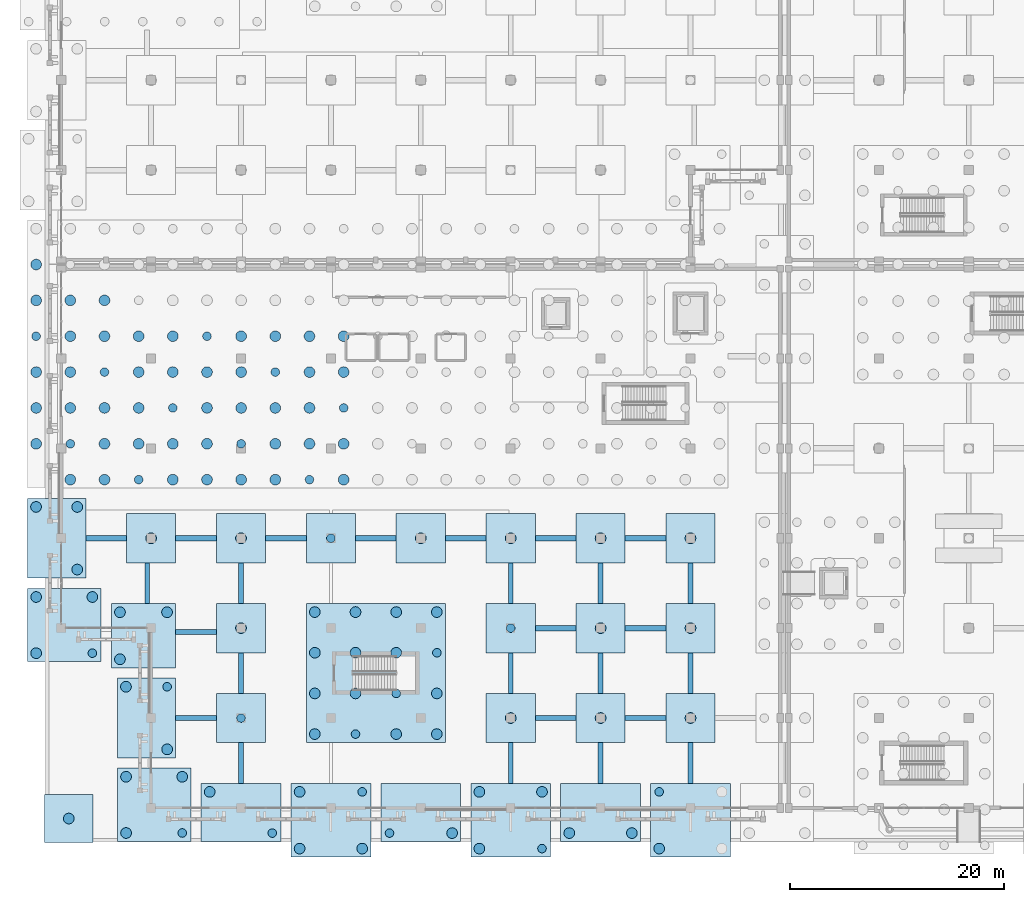
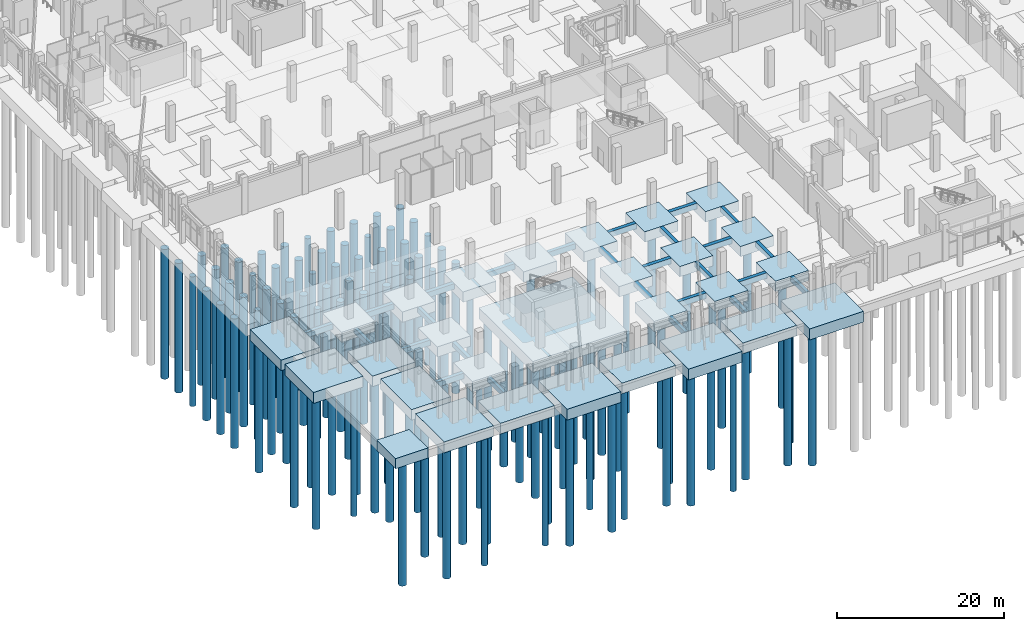
# One storey, part 1 of 98: 118 piles, 54 footings.
"""IFC4 building model written with IfcOpenShell, lengths in metres."""

from ifc_helpers import new_model, si_unit, direction, frame, origin, origin_2d, place, context, subcontext, project, spatial, rectangle, circle, extrude, material, material_profile, profile_set, type_object, element, save


model = new_model("IFC4")

# Units and contexts
model_context = context("Model", 3, precision=1e-05, world=origin(), true_north=direction((0.0, 1.0)))
body_context = subcontext(model_context, "Body", "Model", "MODEL_VIEW")
ifc_project = project(units=[si_unit("LENGTHUNIT", "METRE"), si_unit("AREAUNIT", "SQUARE_METRE"), si_unit("VOLUMEUNIT", "CUBIC_METRE"), si_unit("PLANEANGLEUNIT", "RADIAN"), si_unit("MASSUNIT", "GRAM", prefix="KILO")], contexts=[model_context])

# Site, building, storey
site_placement = place(None, origin())
site = spatial("IfcSite", under=ifc_project, at=site_placement, CompositionType="ELEMENT")
building_placement = place(site_placement, origin())
building = spatial("IfcBuilding", under=site, at=building_placement, Name="Xazarin Passage Department Store", CompositionType="ELEMENT")
storey_placement = place(building_placement, origin())
storey = spatial("IfcBuildingStorey", under=building, at=storey_placement, Name="L00", CompositionType="ELEMENT", Elevation=0.0)

# Footings
ifc_material = material(Name="Concrete C35/45", Category="concrete")
footing_type_1 = type_object("IfcFootingType", Name="STR-CAP-PC1", PredefinedType="PILE_CAP", material=ifc_material)
for number, where, z_axis, x_axis, name in (
    (1, (25.199951171875, -1.14990234375, -1.60009765625), (0.0, 0.0, 1.0), (1.0, 0.0, 0.0), "Pile Cap 001"),
    (2, (42.0, -1.14990234375, -1.60009765625), (0.0, 0.0, 1.0), (1.0, 0.0, 0.0), "Pile Cap 002"),
    (3, (58.800048828125, -1.14990234375, -1.60009765625), (0.0, 0.0, 1.0), (1.0, 0.0, 0.0), "Pile Cap 003"),
):
    element("IfcFooting", number, at=place(storey_placement, frame(where, z_axis=z_axis, x_axis=x_axis)), inside=storey, type_object=footing_type_1, Name=name, PredefinedType="PILE_CAP", context=body_context, shape_type="SweptSolid", body=[
        extrude(rectangle(XDim=7.449951171875, YDim=6.89990234375, at=origin_2d()), origin(), (0.0, 0.0, 1.0), 1.60009765625),
    ])
footing_type_2 = type_object("IfcFootingType", Name="STR-CAP-PC11", PredefinedType="PILE_CAP", material=ifc_material)
for number, where, z_axis, x_axis, name in (
    (4, (16.800048828125, 8.39990234375, -1.5), (0.0, 0.0, 1.0), (1.0, 0.0, 0.0), "Pile Cap 019"),
    (5, (42.0, 8.39990234375, -1.5), (0.0, 0.0, 1.0), (1.0, 0.0, 0.0), "Pile Cap 021"),
    (6, (50.39990234375, 8.39990234375, -1.5), (0.0, 0.0, 1.0), (1.0, 0.0, 0.0), "Pile Cap 022"),
    (7, (58.800048828125, 8.39990234375, -1.5), (0.0, 0.0, 1.0), (1.0, 0.0, 0.0), "Pile Cap 023"),
    (8, (16.800048828125, 16.800048828125, -1.5), (0.0, 0.0, 1.0), (1.0, 0.0, 0.0), "Pile Cap 033"),
    (9, (42.0, 16.800048828125, -1.5), (0.0, 0.0, 1.0), (1.0, 0.0, 0.0), "Pile Cap 034"),
    (10, (50.39990234375, 16.800048828125, -1.5), (0.0, 0.0, 1.0), (1.0, 0.0, 0.0), "Pile Cap 035"),
    (11, (58.800048828125, 16.800048828125, -1.5), (0.0, 0.0, 1.0), (1.0, 0.0, 0.0), "Pile Cap 036"),
    (12, (8.39990234375, 25.199951171875, -1.5), (0.0, 0.0, 1.0), (1.0, 0.0, 0.0), "Pile Cap 047"),
    (13, (16.800048828125, 25.199951171875, -1.5), (0.0, 0.0, 1.0), (1.0, 0.0, 0.0), "Pile Cap 048"),
    (14, (25.199951171875, 25.199951171875, -1.5), (0.0, 0.0, 1.0), (1.0, 0.0, 0.0), "Pile Cap 049"),
    (15, (33.60009765625, 25.199951171875, -1.5), (0.0, 0.0, 1.0), (1.0, 0.0, 0.0), "Pile Cap 050"),
    (16, (42.0, 25.199951171875, -1.5), (0.0, 0.0, 1.0), (1.0, 0.0, 0.0), "Pile Cap 051"),
    (17, (50.39990234375, 25.199951171875, -1.5), (0.0, 0.0, 1.0), (1.0, 0.0, 0.0), "Pile Cap 052"),
    (18, (58.800048828125, 25.199951171875, -1.5), (0.0, 0.0, 1.0), (1.0, 0.0, 0.0), "Pile Cap 053"),
):
    element("IfcFooting", number, at=place(storey_placement, frame(where, z_axis=z_axis, x_axis=x_axis)), inside=storey, type_object=footing_type_2, Name=name, PredefinedType="PILE_CAP", context=body_context, shape_type="SweptSolid", body=[
        extrude(rectangle(XDim=4.60009765625, YDim=4.60009765625, at=origin_2d()), origin(), (0.0, 0.0, 1.0), 1.5),
    ])
footing_type_3 = type_object("IfcFootingType", Name="STR-CAP-PC12", PredefinedType="PILE_CAP", material=ifc_material)
footing_1_placement = place(storey_placement, frame((29.39990234375, 12.60009765625, -1.60009765625), z_axis=(0.0, 0.0, 1.0), x_axis=(1.0, 0.0, 0.0)))
element("IfcFooting", 19, at=footing_1_placement, inside=storey, type_object=footing_type_3, Name="Pile Cap 020", PredefinedType="PILE_CAP", context=body_context, shape_type="SweptSolid", body=[
    extrude(rectangle(XDim=13.0, YDim=13.0, at=origin_2d()), origin(), (0.0, 0.0, 1.0), 1.60009765625),
])
footing_type_4 = type_object("IfcFootingType", Name="STR-CAP-PC15", PredefinedType="PILE_CAP", material=ifc_material)
footing_2_placement = place(storey_placement, frame((7.68994140625, 16.090087890625, -1.5498046875), z_axis=(0.0, 0.0, 1.0), x_axis=(1.0, 0.0, 0.0)))
element("IfcFooting", 20, at=footing_2_placement, inside=storey, type_object=footing_type_4, Name="Pile Cap 031", PredefinedType="PILE_CAP", context=body_context, shape_type="SweptSolid", body=[
    extrude(rectangle(XDim=6.0, YDim=6.0, at=origin_2d()), origin(), (0.0, 0.0, 1.0), 1.550048828125),
])
footing_type_5 = type_object("IfcFootingType", Name="STR-CAP-PC4", PredefinedType="PILE_CAP", material=ifc_material)
footing_3_placement = place(storey_placement, frame((0.7099609375, -0.989990234375, -1.5), z_axis=(0.0, 0.0, 1.0), x_axis=(1.0, 0.0, 0.0)))
element("IfcFooting", 21, at=footing_3_placement, inside=storey, type_object=footing_type_5, Name="Pile Cap 006", PredefinedType="PILE_CAP", context=body_context, shape_type="SweptSolid", body=[
    extrude(rectangle(XDim=4.5, YDim=4.5, at=origin_2d()), origin(), (0.0, 0.0, 1.0), 1.5),
])
footing_type_6 = type_object("IfcFootingType", Name="STR-CAP-PC7", PredefinedType="PILE_CAP", material=ifc_material)
for number, where, z_axis, x_axis, name in (
    (22, (8.68505859375, 0.284912109375, -1.60009765625), (0.0, 0.0, 1.0), (1.0, 0.0, 0.0), "Pile Cap 012"),
    (23, (0.284912109375, 17.0849609375, -1.60009765625), (0.0, 0.0, 1.0), (1.0, 0.0, 0.0), "Pile Cap 032"),
):
    element("IfcFooting", number, at=place(storey_placement, frame(where, z_axis=z_axis, x_axis=x_axis)), inside=storey, type_object=footing_type_6, Name=name, PredefinedType="PILE_CAP", context=body_context, shape_type="SweptSolid", body=[
        extrude(rectangle(XDim=6.85009765625, YDim=6.85009765625, at=origin_2d()), origin(), (0.0, 0.0, 1.0), 1.60009765625),
    ])
footing_type_7 = type_object("IfcFootingType", Name="STR-CAP-PC8", PredefinedType="PILE_CAP", material=ifc_material)
for number, where, z_axis, x_axis, name in (
    (24, (16.800048828125, -0.425048828125, -1.5498046875), (0.0, 0.0, 1.0), (1.0, 0.0, 0.0), "Pile Cap 013"),
    (25, (33.60009765625, -0.425048828125, -1.5498046875), (0.0, 0.0, 1.0), (1.0, 0.0, 0.0), "Pile Cap 014"),
    (26, (50.39990234375, -0.425048828125, -1.5498046875), (0.0, 0.0, 1.0), (1.0, 0.0, 0.0), "Pile Cap 015"),
    (27, (7.97509765625, 8.39990234375, -1.5498046875), (0.0, 0.0, 1.0), (0.0, 1.0, 0.0), "Pile Cap 017"),
    (28, (-0.425048828125, 25.199951171875, -1.5498046875), (0.0, 0.0, 1.0), (0.0, 1.0, 0.0), "Pile Cap 045"),
):
    element("IfcFooting", number, at=place(storey_placement, frame(where, z_axis=z_axis, x_axis=x_axis)), inside=storey, type_object=footing_type_7, Name=name, PredefinedType="PILE_CAP", context=body_context, shape_type="SweptSolid", body=[
        extrude(rectangle(XDim=7.449951171875, YDim=5.449951171875, at=origin_2d()), origin(), (0.0, 0.0, 1.0), 1.550048828125),
    ])
ifc_material_profile_1 = material_profile(ifc_material, rectangle(XDim=0.449951171875, YDim=0.699951171875, at=origin_2d()), Name="RC 450x700")
ifc_profile_set_1 = profile_set([ifc_material_profile_1], Name="Concrete C35/45")
footing_type_8 = type_object("IfcFootingType", Name="STR-FTG-TB450x700", PredefinedType="FOOTING_BEAM", material=ifc_profile_set_1)
for number, where, z_axis, x_axis, name in (
    (29, (42.0, 2.300048828125, -0.35009765625), (0.0, 1.0, 0.0), (-1.0, 0.0, 0.0), "Ground Tie Beam 001"),
    (30, (58.800048828125, 2.300048828125, -0.35009765625), (0.0, 1.0, 0.0), (-1.0, 0.0, 0.0), "Ground Tie Beam 002"),
    (31, (16.800048828125, 2.300048828125, -0.35009765625), (0.0, 1.0, 0.0), (-1.0, 0.0, 0.0), "Ground Tie Beam 005"),
    (32, (50.39990234375, 2.300048828125, -0.35009765625), (0.0, 1.0, 0.0), (-1.0, 0.0, 0.0), "Ground Tie Beam 006"),
    (33, (16.800048828125, 10.699951171875, -0.35009765625), (0.0, 1.0, 0.0), (-1.0, 0.0, 0.0), "Ground Tie Beam 009"),
    (34, (42.0, 10.699951171875, -0.35009765625), (0.0, 1.0, 0.0), (-1.0, 0.0, 0.0), "Ground Tie Beam 011"),
    (35, (50.39990234375, 10.699951171875, -0.35009765625), (0.0, 1.0, 0.0), (-1.0, 0.0, 0.0), "Ground Tie Beam 013"),
    (36, (58.800048828125, 10.699951171875, -0.35009765625), (0.0, 1.0, 0.0), (-1.0, 0.0, 0.0), "Ground Tie Beam 015"),
):
    element("IfcFooting", number, at=place(storey_placement, frame(where, z_axis=z_axis, x_axis=x_axis)), inside=storey, type_object=footing_type_8, Name=name, PredefinedType="FOOTING_BEAM", context=body_context, shape_type="SweptSolid", body=[
        extrude(rectangle(XDim=0.449951171875, YDim=0.699951171875, at=origin_2d()), origin(), (0.0, 0.0, 1.0), 3.800048828125),
    ])
footing_4_placement = place(storey_placement, frame((8.044921875, 19.090087890625, -0.35009765625), z_axis=(0.0, 1.0, 0.0), x_axis=(-1.0, 0.0, 0.0)))
element("IfcFooting", 37, at=footing_4_placement, inside=storey, type_object=footing_type_8, Name="Ground Tie Beam 026", PredefinedType="FOOTING_BEAM", context=body_context, shape_type="SweptSolid", body=[
    extrude(rectangle(XDim=0.449951171875, YDim=0.699951171875, at=origin_2d()), origin(), (0.0, 0.0, 1.0), 3.809814453125),
])
for number, where, z_axis, x_axis, name in (
    (38, (16.800048828125, 19.10009765625, -0.35009765625), (0.0, 1.0, 0.0), (-1.0, 0.0, 0.0), "Ground Tie Beam 027"),
    (39, (42.0, 19.10009765625, -0.35009765625), (0.0, 1.0, 0.0), (-1.0, 0.0, 0.0), "Ground Tie Beam 029"),
    (40, (50.39990234375, 19.10009765625, -0.35009765625), (0.0, 1.0, 0.0), (-1.0, 0.0, 0.0), "Ground Tie Beam 031"),
    (41, (58.800048828125, 19.10009765625, -0.35009765625), (0.0, 1.0, 0.0), (-1.0, 0.0, 0.0), "Ground Tie Beam 032"),
):
    element("IfcFooting", number, at=place(storey_placement, frame(where, z_axis=z_axis, x_axis=x_axis)), inside=storey, type_object=footing_type_8, Name=name, PredefinedType="FOOTING_BEAM", context=body_context, shape_type="SweptSolid", body=[
        extrude(rectangle(XDim=0.449951171875, YDim=0.699951171875, at=origin_2d()), origin(), (0.0, 0.0, 1.0), 3.7998046875),
    ])
ifc_material_profile_2 = material_profile(ifc_material, rectangle(XDim=0.5, YDim=0.800048828125, at=origin_2d()), Name="RC 500x800")
ifc_profile_set_2 = profile_set([ifc_material_profile_2], Name="Concrete C35/45")
footing_type_9 = type_object("IfcFootingType", Name="STR-FTG-TB500x800", PredefinedType="FOOTING_BEAM", material=ifc_profile_set_2)
for number, where, z_axis, x_axis, name in (
    (42, (10.699951171875, 8.39990234375, -0.39990234375), (1.0, 0.0, 0.0), (0.0, 1.0, 0.0), "Ground Tie Beam 008"),
    (43, (44.300048828125, 8.39990234375, -0.39990234375), (1.0, 0.0, 0.0), (0.0, 1.0, 0.0), "Ground Tie Beam 010"),
    (44, (52.699951171875, 8.39990234375, -0.39990234375), (1.0, 0.0, 0.0), (0.0, 1.0, 0.0), "Ground Tie Beam 012"),
):
    element("IfcFooting", number, at=place(storey_placement, frame(where, z_axis=z_axis, x_axis=x_axis)), inside=storey, type_object=footing_type_9, Name=name, PredefinedType="FOOTING_BEAM", context=body_context, shape_type="SweptSolid", body=[
        extrude(rectangle(XDim=0.5, YDim=0.800048828125, at=origin_2d()), origin(), (0.0, 0.0, 1.0), 3.800048828125),
    ])
footing_5_placement = place(storey_placement, frame((10.68994140625, 16.445068359375, -0.39990234375), z_axis=(1.0, 0.0, 0.0), x_axis=(0.0, 1.0, 0.0)))
element("IfcFooting", 45, at=footing_5_placement, inside=storey, type_object=footing_type_9, Name="Ground Tie Beam 025", PredefinedType="FOOTING_BEAM", context=body_context, shape_type="SweptSolid", body=[
    extrude(rectangle(XDim=0.5, YDim=0.800048828125, at=origin_2d()), origin(), (0.0, 0.0, 1.0), 3.81005859375),
])
for number, where, z_axis, x_axis, name in (
    (46, (44.300048828125, 16.800048828125, -0.39990234375), (1.0, 0.0, 0.0), (0.0, 1.0, 0.0), "Ground Tie Beam 028"),
    (47, (52.699951171875, 16.800048828125, -0.39990234375), (1.0, 0.0, 0.0), (0.0, 1.0, 0.0), "Ground Tie Beam 030"),
    (48, (2.300048828125, 25.199951171875, -0.39990234375), (1.0, 0.0, 0.0), (0.0, 1.0, 0.0), "Ground Tie Beam 041"),
    (49, (10.699951171875, 25.199951171875, -0.39990234375), (1.0, 0.0, 0.0), (0.0, 1.0, 0.0), "Ground Tie Beam 042"),
):
    element("IfcFooting", number, at=place(storey_placement, frame(where, z_axis=z_axis, x_axis=x_axis)), inside=storey, type_object=footing_type_9, Name=name, PredefinedType="FOOTING_BEAM", context=body_context, shape_type="SweptSolid", body=[
        extrude(rectangle(XDim=0.5, YDim=0.800048828125, at=origin_2d()), origin(), (0.0, 0.0, 1.0), 3.800048828125),
    ])
footing_6_placement = place(storey_placement, frame((19.10009765625, 25.199951171875, -0.39990234375), z_axis=(1.0, 0.0, 0.0), x_axis=(0.0, 1.0, 0.0)))
element("IfcFooting", 50, at=footing_6_placement, inside=storey, type_object=footing_type_9, Name="Ground Tie Beam 043", PredefinedType="FOOTING_BEAM", context=body_context, shape_type="SweptSolid", body=[
    extrude(rectangle(XDim=0.5, YDim=0.800048828125, at=origin_2d()), origin(), (0.0, 0.0, 1.0), 3.7998046875),
])
for number, where, z_axis, x_axis, name in (
    (51, (27.5, 25.199951171875, -0.39990234375), (1.0, 0.0, 0.0), (0.0, 1.0, 0.0), "Ground Tie Beam 044"),
    (52, (35.89990234375, 25.199951171875, -0.39990234375), (1.0, 0.0, 0.0), (0.0, 1.0, 0.0), "Ground Tie Beam 045"),
    (53, (44.300048828125, 25.199951171875, -0.39990234375), (1.0, 0.0, 0.0), (0.0, 1.0, 0.0), "Ground Tie Beam 046"),
    (54, (52.699951171875, 25.199951171875, -0.39990234375), (1.0, 0.0, 0.0), (0.0, 1.0, 0.0), "Ground Tie Beam 047"),
):
    element("IfcFooting", number, at=place(storey_placement, frame(where, z_axis=z_axis, x_axis=x_axis)), inside=storey, type_object=footing_type_9, Name=name, PredefinedType="FOOTING_BEAM", context=body_context, shape_type="SweptSolid", body=[
        extrude(rectangle(XDim=0.5, YDim=0.800048828125, at=origin_2d()), origin(), (0.0, 0.0, 1.0), 3.800048828125),
    ])

# Piles
ifc_material_profile_3 = material_profile(ifc_material, circle(Radius=0.5, at=origin_2d()), Name="BP 1000")
ifc_profile_set_3 = profile_set([ifc_material_profile_3], Name="Concrete C35/45")
pile_type_1 = type_object("IfcPileType", Name="STR-PIL-BP1000", PredefinedType="BORED", material=ifc_profile_set_3)
for number, where, z_axis, x_axis, name in (
    (55, (22.27490234375, -3.800048828125, -1.5), (0.0, 0.0, -1.0), (1.0, 0.0, 0.0), "Bored Pile 001-1"),
    (56, (22.27490234375, 1.5, -1.5), (0.0, 0.0, -1.0), (1.0, 0.0, 0.0), "Bored Pile 001-2"),
    (57, (28.125, -3.800048828125, -1.5), (0.0, 0.0, -1.0), (1.0, 0.0, 0.0), "Bored Pile 001-3"),
    (58, (39.074951171875, -3.800048828125, -1.5), (0.0, 0.0, -1.0), (1.0, 0.0, 0.0), "Bored Pile 002-1"),
    (59, (39.074951171875, 1.5, -1.5), (0.0, 0.0, -1.0), (1.0, 0.0, 0.0), "Bored Pile 002-2"),
    (60, (44.925048828125, 1.5, -1.5), (0.0, 0.0, -1.0), (1.0, 0.0, 0.0), "Bored Pile 002-4"),
    (61, (55.875, -3.800048828125, -1.5), (0.0, 0.0, -1.0), (1.0, 0.0, 0.0), "Bored Pile 003-1"),
):
    element("IfcPile", number, at=place(storey_placement, frame(where, z_axis=z_axis, x_axis=x_axis)), inside=storey, type_object=pile_type_1, Name=name, PredefinedType="BORED", context=body_context, shape_type="SweptSolid", body=[
        extrude(circle(Radius=0.5, at=origin_2d()), origin(), (0.0, 0.0, 1.0), 19.0),
    ])
pile_1_placement = place(storey_placement, frame((0.7099609375, -0.989990234375, -1.39990234375), z_axis=(0.0, 0.0, -1.0), x_axis=(1.0, 0.0, 0.0)))
element("IfcPile", 62, at=pile_1_placement, inside=storey, type_object=pile_type_1, Name="Bored Pile 006-1", PredefinedType="BORED", context=body_context, shape_type="SweptSolid", body=[
    extrude(circle(Radius=0.5, at=origin_2d()), origin(), (0.0, 0.0, 1.0), 19.10009765625),
])
for number, where, z_axis, x_axis, name in (
    (63, (6.06005859375, -2.340087890625, -1.5), (0.0, 0.0, -1.0), (1.0, 0.0, 0.0), "Bored Pile 012-1"),
    (64, (6.06005859375, 2.909912109375, -1.5), (0.0, 0.0, -1.0), (1.0, 0.0, 0.0), "Bored Pile 012-2"),
    (65, (11.31005859375, 2.909912109375, -1.5), (0.0, 0.0, -1.0), (1.0, 0.0, 0.0), "Bored Pile 012-4"),
):
    element("IfcPile", number, at=place(storey_placement, frame(where, z_axis=z_axis, x_axis=x_axis)), inside=storey, type_object=pile_type_1, Name=name, PredefinedType="BORED", context=body_context, shape_type="SweptSolid", body=[
        extrude(circle(Radius=0.5, at=origin_2d()), origin(), (0.0, 0.0, 1.0), 19.0),
    ])
for number, where, z_axis, x_axis, name in (
    (66, (13.875, 1.5, -1.449951171875), (0.0, 0.0, -1.0), (1.0, 0.0, 0.0), "Bored Pile 013-1"),
    (67, (36.52490234375, -2.35009765625, -1.449951171875), (0.0, 0.0, -1.0), (1.0, 0.0, 0.0), "Bored Pile 014-2"),
    (68, (47.47509765625, -2.35009765625, -1.449951171875), (0.0, 0.0, -1.0), (1.0, 0.0, 0.0), "Bored Pile 015-1"),
    (69, (53.324951171875, -2.35009765625, -1.449951171875), (0.0, 0.0, -1.0), (1.0, 0.0, 0.0), "Bored Pile 015-2"),
    (70, (6.050048828125, 11.324951171875, -1.449951171875), (0.0, 0.0, -1.0), (1.0, 0.0, 0.0), "Bored Pile 017-1"),
    (71, (9.89990234375, 5.47509765625, -1.449951171875), (0.0, 0.0, -1.0), (1.0, 0.0, 0.0), "Bored Pile 017-2"),
):
    element("IfcPile", number, at=place(storey_placement, frame(where, z_axis=z_axis, x_axis=x_axis)), inside=storey, type_object=pile_type_1, Name=name, PredefinedType="BORED", context=body_context, shape_type="SweptSolid", body=[
        extrude(circle(Radius=0.5, at=origin_2d()), origin(), (0.0, 0.0, 1.0), 19.050048828125),
    ])
for number, where, z_axis, x_axis, name in (
    (72, (23.699951171875, 6.89990234375, -1.5), (0.0, 0.0, -1.0), (1.0, 0.0, 0.0), "Bored Pile 020-1"),
    (73, (23.699951171875, 10.699951171875, -1.5), (0.0, 0.0, -1.0), (1.0, 0.0, 0.0), "Bored Pile 020-2"),
    (74, (23.699951171875, 14.5, -1.5), (0.0, 0.0, -1.0), (1.0, 0.0, 0.0), "Bored Pile 020-3"),
    (75, (23.699951171875, 18.300048828125, -1.5), (0.0, 0.0, -1.0), (1.0, 0.0, 0.0), "Bored Pile 020-4"),
    (76, (27.5, 10.699951171875, -1.5), (0.0, 0.0, -1.0), (1.0, 0.0, 0.0), "Bored Pile 020-6"),
    (77, (27.5, 14.5, -1.5), (0.0, 0.0, -1.0), (1.0, 0.0, 0.0), "Bored Pile 020-7"),
    (78, (27.5, 18.300048828125, -1.5), (0.0, 0.0, -1.0), (1.0, 0.0, 0.0), "Bored Pile 020-8"),
    (79, (31.300048828125, 6.89990234375, -1.5), (0.0, 0.0, -1.0), (1.0, 0.0, 0.0), "Bored Pile 020-9"),
    (80, (31.300048828125, 14.5, -1.5), (0.0, 0.0, -1.0), (1.0, 0.0, 0.0), "Bored Pile 020-11"),
    (81, (31.300048828125, 18.300048828125, -1.5), (0.0, 0.0, -1.0), (1.0, 0.0, 0.0), "Bored Pile 020-12"),
    (82, (35.10009765625, 6.89990234375, -1.5), (0.0, 0.0, -1.0), (1.0, 0.0, 0.0), "Bored Pile 020-13"),
    (83, (35.10009765625, 10.699951171875, -1.5), (0.0, 0.0, -1.0), (1.0, 0.0, 0.0), "Bored Pile 020-14"),
    (84, (35.10009765625, 18.300048828125, -1.5), (0.0, 0.0, -1.0), (1.0, 0.0, 0.0), "Bored Pile 020-16"),
):
    element("IfcPile", number, at=place(storey_placement, frame(where, z_axis=z_axis, x_axis=x_axis)), inside=storey, type_object=pile_type_1, Name=name, PredefinedType="BORED", context=body_context, shape_type="SweptSolid", body=[
        extrude(circle(Radius=0.5, at=origin_2d()), origin(), (0.0, 0.0, 1.0), 19.0),
    ])
for number, where, z_axis, x_axis, name in (
    (85, (42.0, 8.39990234375, -1.39990234375), (0.0, 0.0, -1.0), (1.0, 0.0, 0.0), "Bored Pile 021-1"),
    (86, (50.39990234375, 8.39990234375, -1.39990234375), (0.0, 0.0, -1.0), (1.0, 0.0, 0.0), "Bored Pile 022-1"),
    (87, (58.800048828125, 8.39990234375, -1.39990234375), (0.0, 0.0, -1.0), (1.0, 0.0, 0.0), "Bored Pile 023-1"),
):
    element("IfcPile", number, at=place(storey_placement, frame(where, z_axis=z_axis, x_axis=x_axis)), inside=storey, type_object=pile_type_1, Name=name, PredefinedType="BORED", context=body_context, shape_type="SweptSolid", body=[
        extrude(circle(Radius=0.5, at=origin_2d()), origin(), (0.0, 0.0, 1.0), 19.10009765625),
    ])
for number, where, z_axis, x_axis, name in (
    (88, (5.489990234375, 13.889892578125, -1.449951171875), (0.0, 0.0, -1.0), (1.0, 0.0, 0.0), "Bored Pile 031-1"),
    (89, (5.489990234375, 18.2900390625, -1.449951171875), (0.0, 0.0, -1.0), (1.0, 0.0, 0.0), "Bored Pile 031-2"),
    (90, (9.889892578125, 18.2900390625, -1.449951171875), (0.0, 0.0, -1.0), (1.0, 0.0, 0.0), "Bored Pile 031-3"),
):
    element("IfcPile", number, at=place(storey_placement, frame(where, z_axis=z_axis, x_axis=x_axis)), inside=storey, type_object=pile_type_1, Name=name, PredefinedType="BORED", context=body_context, shape_type="SweptSolid", body=[
        extrude(circle(Radius=0.5, at=origin_2d()), origin(), (0.0, 0.0, 1.0), 19.050048828125),
    ])
for number, where, z_axis, x_axis, name in (
    (91, (-2.340087890625, 14.4599609375, -1.5), (0.0, 0.0, -1.0), (1.0, 0.0, 0.0), "Bored Pile 032-1"),
    (92, (-2.340087890625, 19.7099609375, -1.5), (0.0, 0.0, -1.0), (1.0, 0.0, 0.0), "Bored Pile 032-2"),
    (93, (2.909912109375, 19.7099609375, -1.5), (0.0, 0.0, -1.0), (1.0, 0.0, 0.0), "Bored Pile 032-4"),
):
    element("IfcPile", number, at=place(storey_placement, frame(where, z_axis=z_axis, x_axis=x_axis)), inside=storey, type_object=pile_type_1, Name=name, PredefinedType="BORED", context=body_context, shape_type="SweptSolid", body=[
        extrude(circle(Radius=0.5, at=origin_2d()), origin(), (0.0, 0.0, 1.0), 19.0),
    ])
for number, where, z_axis, x_axis, name in (
    (94, (16.800048828125, 16.800048828125, -1.39990234375), (0.0, 0.0, -1.0), (1.0, 0.0, 0.0), "Bored Pile 033-1"),
    (95, (50.39990234375, 16.800048828125, -1.39990234375), (0.0, 0.0, -1.0), (1.0, 0.0, 0.0), "Bored Pile 035-1"),
    (96, (58.800048828125, 16.800048828125, -1.39990234375), (0.0, 0.0, -1.0), (1.0, 0.0, 0.0), "Bored Pile 036-1"),
):
    element("IfcPile", number, at=place(storey_placement, frame(where, z_axis=z_axis, x_axis=x_axis)), inside=storey, type_object=pile_type_1, Name=name, PredefinedType="BORED", context=body_context, shape_type="SweptSolid", body=[
        extrude(circle(Radius=0.5, at=origin_2d()), origin(), (0.0, 0.0, 1.0), 19.10009765625),
    ])
for number, where, z_axis, x_axis, name in (
    (97, (-2.35009765625, 28.125, -1.449951171875), (0.0, 0.0, -1.0), (1.0, 0.0, 0.0), "Bored Pile 045-1"),
    (98, (1.5, 22.27490234375, -1.449951171875), (0.0, 0.0, -1.0), (1.0, 0.0, 0.0), "Bored Pile 045-2"),
    (99, (1.5, 28.125, -1.449951171875), (0.0, 0.0, -1.0), (1.0, 0.0, 0.0), "Bored Pile 045-3"),
):
    element("IfcPile", number, at=place(storey_placement, frame(where, z_axis=z_axis, x_axis=x_axis)), inside=storey, type_object=pile_type_1, Name=name, PredefinedType="BORED", context=body_context, shape_type="SweptSolid", body=[
        extrude(circle(Radius=0.5, at=origin_2d()), origin(), (0.0, 0.0, 1.0), 19.050048828125),
    ])
for number, where, z_axis, x_axis, name in (
    (100, (8.39990234375, 25.199951171875, -1.39990234375), (0.0, 0.0, -1.0), (1.0, 0.0, 0.0), "Bored Pile 047-1"),
    (101, (16.800048828125, 25.199951171875, -1.39990234375), (0.0, 0.0, -1.0), (1.0, 0.0, 0.0), "Bored Pile 048-1"),
    (102, (33.60009765625, 25.199951171875, -1.39990234375), (0.0, 0.0, -1.0), (1.0, 0.0, 0.0), "Bored Pile 050-1"),
    (103, (42.0, 25.199951171875, -1.39990234375), (0.0, 0.0, -1.0), (1.0, 0.0, 0.0), "Bored Pile 051-1"),
    (104, (50.39990234375, 25.199951171875, -1.39990234375), (0.0, 0.0, -1.0), (1.0, 0.0, 0.0), "Bored Pile 052-1"),
    (105, (58.800048828125, 25.199951171875, -1.39990234375), (0.0, 0.0, -1.0), (1.0, 0.0, 0.0), "Bored Pile 053-1"),
):
    element("IfcPile", number, at=place(storey_placement, frame(where, z_axis=z_axis, x_axis=x_axis)), inside=storey, type_object=pile_type_1, Name=name, PredefinedType="BORED", context=body_context, shape_type="SweptSolid", body=[
        extrude(circle(Radius=0.5, at=origin_2d()), origin(), (0.0, 0.0, 1.0), 19.10009765625),
    ])
for number, where, z_axis, x_axis, name in (
    (106, (-2.340087890625, 34.02490234375, -1.5), (0.0, 0.0, -1.0), (1.0, 0.0, 0.0), "Bored Pile 061-1"),
    (107, (-2.340087890625, 37.375, -1.5), (0.0, 0.0, -1.0), (1.0, 0.0, 0.0), "Bored Pile 061-2"),
    (108, (-2.340087890625, 40.72509765625, -1.5), (0.0, 0.0, -1.0), (1.0, 0.0, 0.0), "Bored Pile 061-3"),
    (109, (-2.340087890625, 47.425048828125, -1.5), (0.0, 0.0, -1.0), (1.0, 0.0, 0.0), "Bored Pile 061-5"),
    (110, (-2.340087890625, 50.77490234375, -1.5), (0.0, 0.0, -1.0), (1.0, 0.0, 0.0), "Bored Pile 061-6"),
    (111, (0.8525390625, 30.675048828125, -1.5), (0.0, 0.0, -1.0), (1.0, 0.0, 0.0), "Bored Pile 061-8"),
    (112, (0.8525390625, 37.375, -1.5), (0.0, 0.0, -1.0), (1.0, 0.0, 0.0), "Bored Pile 061-10"),
    (113, (0.8525390625, 40.72509765625, -1.5), (0.0, 0.0, -1.0), (1.0, 0.0, 0.0), "Bored Pile 061-11"),
    (114, (0.8525390625, 44.074951171875, -1.5), (0.0, 0.0, -1.0), (1.0, 0.0, 0.0), "Bored Pile 061-12"),
    (115, (0.8525390625, 47.425048828125, -1.5), (0.0, 0.0, -1.0), (1.0, 0.0, 0.0), "Bored Pile 061-13"),
    (116, (4.044921875, 30.675048828125, -1.5), (0.0, 0.0, -1.0), (1.0, 0.0, 0.0), "Bored Pile 061-16"),
    (117, (4.044921875, 34.02490234375, -1.5), (0.0, 0.0, -1.0), (1.0, 0.0, 0.0), "Bored Pile 061-17"),
    (118, (4.044921875, 37.375, -1.5), (0.0, 0.0, -1.0), (1.0, 0.0, 0.0), "Bored Pile 061-18"),
    (119, (4.044921875, 44.074951171875, -1.5), (0.0, 0.0, -1.0), (1.0, 0.0, 0.0), "Bored Pile 061-20"),
    (120, (4.044921875, 47.425048828125, -1.5), (0.0, 0.0, -1.0), (1.0, 0.0, 0.0), "Bored Pile 061-21"),
    (121, (7.237548828125, 34.02490234375, -1.5), (0.0, 0.0, -1.0), (1.0, 0.0, 0.0), "Bored Pile 061-25"),
    (122, (7.237548828125, 37.375, -1.5), (0.0, 0.0, -1.0), (1.0, 0.0, 0.0), "Bored Pile 061-26"),
    (123, (7.237548828125, 40.72509765625, -1.5), (0.0, 0.0, -1.0), (1.0, 0.0, 0.0), "Bored Pile 061-27"),
    (124, (7.237548828125, 44.074951171875, -1.5), (0.0, 0.0, -1.0), (1.0, 0.0, 0.0), "Bored Pile 061-28"),
    (125, (10.429931640625, 30.675048828125, -1.5), (0.0, 0.0, -1.0), (1.0, 0.0, 0.0), "Bored Pile 061-32"),
    (126, (10.429931640625, 34.02490234375, -1.5), (0.0, 0.0, -1.0), (1.0, 0.0, 0.0), "Bored Pile 061-33"),
    (127, (10.429931640625, 40.72509765625, -1.5), (0.0, 0.0, -1.0), (1.0, 0.0, 0.0), "Bored Pile 061-35"),
    (128, (10.429931640625, 44.074951171875, -1.5), (0.0, 0.0, -1.0), (1.0, 0.0, 0.0), "Bored Pile 061-36"),
    (129, (13.62255859375, 30.675048828125, -1.5), (0.0, 0.0, -1.0), (1.0, 0.0, 0.0), "Bored Pile 061-40"),
    (130, (13.62255859375, 34.02490234375, -1.5), (0.0, 0.0, -1.0), (1.0, 0.0, 0.0), "Bored Pile 061-41"),
    (131, (13.62255859375, 37.375, -1.5), (0.0, 0.0, -1.0), (1.0, 0.0, 0.0), "Bored Pile 061-42"),
    (132, (13.62255859375, 40.72509765625, -1.5), (0.0, 0.0, -1.0), (1.0, 0.0, 0.0), "Bored Pile 061-43"),
    (133, (16.81494140625, 30.675048828125, -1.5), (0.0, 0.0, -1.0), (1.0, 0.0, 0.0), "Bored Pile 061-48"),
    (134, (16.81494140625, 37.375, -1.5), (0.0, 0.0, -1.0), (1.0, 0.0, 0.0), "Bored Pile 061-50"),
    (135, (16.81494140625, 40.72509765625, -1.5), (0.0, 0.0, -1.0), (1.0, 0.0, 0.0), "Bored Pile 061-51"),
    (136, (16.81494140625, 44.074951171875, -1.5), (0.0, 0.0, -1.0), (1.0, 0.0, 0.0), "Bored Pile 061-52"),
    (137, (20.007568359375, 30.675048828125, -1.5), (0.0, 0.0, -1.0), (1.0, 0.0, 0.0), "Bored Pile 061-56"),
    (138, (20.007568359375, 34.02490234375, -1.5), (0.0, 0.0, -1.0), (1.0, 0.0, 0.0), "Bored Pile 061-57"),
    (139, (20.007568359375, 37.375, -1.5), (0.0, 0.0, -1.0), (1.0, 0.0, 0.0), "Bored Pile 061-58"),
    (140, (20.007568359375, 44.074951171875, -1.5), (0.0, 0.0, -1.0), (1.0, 0.0, 0.0), "Bored Pile 061-60"),
    (141, (23.199951171875, 34.02490234375, -1.5), (0.0, 0.0, -1.0), (1.0, 0.0, 0.0), "Bored Pile 061-65"),
    (142, (23.199951171875, 37.375, -1.5), (0.0, 0.0, -1.0), (1.0, 0.0, 0.0), "Bored Pile 061-66"),
    (143, (23.199951171875, 40.72509765625, -1.5), (0.0, 0.0, -1.0), (1.0, 0.0, 0.0), "Bored Pile 061-67"),
    (144, (23.199951171875, 44.074951171875, -1.5), (0.0, 0.0, -1.0), (1.0, 0.0, 0.0), "Bored Pile 061-68"),
    (145, (26.392578125, 30.675048828125, -1.5), (0.0, 0.0, -1.0), (1.0, 0.0, 0.0), "Bored Pile 061-72"),
    (146, (26.392578125, 34.02490234375, -1.5), (0.0, 0.0, -1.0), (1.0, 0.0, 0.0), "Bored Pile 061-73"),
    (147, (26.392578125, 40.72509765625, -1.5), (0.0, 0.0, -1.0), (1.0, 0.0, 0.0), "Bored Pile 061-75"),
    (148, (26.392578125, 44.074951171875, -1.5), (0.0, 0.0, -1.0), (1.0, 0.0, 0.0), "Bored Pile 061-76"),
):
    element("IfcPile", number, at=place(storey_placement, frame(where, z_axis=z_axis, x_axis=x_axis)), inside=storey, type_object=pile_type_1, Name=name, PredefinedType="BORED", context=body_context, shape_type="SweptSolid", body=[
        extrude(circle(Radius=0.5, at=origin_2d()), origin(), (0.0, 0.0, 1.0), 19.0),
    ])
ifc_material_profile_4 = material_profile(ifc_material, circle(Radius=0.39990234375, at=origin_2d()), Name="BP 800")
ifc_profile_set_4 = profile_set([ifc_material_profile_4], Name="Concrete C35/45")
pile_type_2 = type_object("IfcPileType", Name="STR-PIL-BP800", PredefinedType="BORED", material=ifc_profile_set_4)
for number, where, z_axis, x_axis, name in (
    (149, (28.125, 1.5, -1.5), (0.0, 0.0, -1.0), (1.0, 0.0, 0.0), "Bored Pile 001-4"),
    (150, (44.925048828125, -3.800048828125, -1.5), (0.0, 0.0, -1.0), (1.0, 0.0, 0.0), "Bored Pile 002-3"),
    (151, (55.875, 1.5, -1.5), (0.0, 0.0, -1.0), (1.0, 0.0, 0.0), "Bored Pile 003-2"),
    (152, (11.31005859375, -2.340087890625, -1.5), (0.0, 0.0, -1.0), (1.0, 0.0, 0.0), "Bored Pile 012-3"),
):
    element("IfcPile", number, at=place(storey_placement, frame(where, z_axis=z_axis, x_axis=x_axis)), inside=storey, type_object=pile_type_2, Name=name, PredefinedType="BORED", context=body_context, shape_type="SweptSolid", body=[
        extrude(circle(Radius=0.39990234375, at=origin_2d()), origin(), (0.0, 0.0, 1.0), 19.0),
    ])
for number, where, z_axis, x_axis, name in (
    (153, (19.72509765625, -2.35009765625, -1.449951171875), (0.0, 0.0, -1.0), (1.0, 0.0, 0.0), "Bored Pile 013-2"),
    (154, (30.675048828125, -2.35009765625, -1.449951171875), (0.0, 0.0, -1.0), (1.0, 0.0, 0.0), "Bored Pile 014-1"),
    (155, (9.89990234375, 11.324951171875, -1.449951171875), (0.0, 0.0, -1.0), (1.0, 0.0, 0.0), "Bored Pile 017-3"),
):
    element("IfcPile", number, at=place(storey_placement, frame(where, z_axis=z_axis, x_axis=x_axis)), inside=storey, type_object=pile_type_2, Name=name, PredefinedType="BORED", context=body_context, shape_type="SweptSolid", body=[
        extrude(circle(Radius=0.39990234375, at=origin_2d()), origin(), (0.0, 0.0, 1.0), 19.050048828125),
    ])
pile_2_placement = place(storey_placement, frame((16.800048828125, 8.39990234375, -1.39990234375), z_axis=(0.0, 0.0, -1.0), x_axis=(1.0, 0.0, 0.0)))
element("IfcPile", 156, at=pile_2_placement, inside=storey, type_object=pile_type_2, Name="Bored Pile 019-1", PredefinedType="BORED", context=body_context, shape_type="SweptSolid", body=[
    extrude(circle(Radius=0.39990234375, at=origin_2d()), origin(), (0.0, 0.0, 1.0), 19.10009765625),
])
for number, where, z_axis, x_axis, name in (
    (157, (27.5, 6.89990234375, -1.5), (0.0, 0.0, -1.0), (1.0, 0.0, 0.0), "Bored Pile 020-5"),
    (158, (31.300048828125, 10.699951171875, -1.5), (0.0, 0.0, -1.0), (1.0, 0.0, 0.0), "Bored Pile 020-10"),
    (159, (35.10009765625, 14.5, -1.5), (0.0, 0.0, -1.0), (1.0, 0.0, 0.0), "Bored Pile 020-15"),
    (160, (2.909912109375, 14.4599609375, -1.5), (0.0, 0.0, -1.0), (1.0, 0.0, 0.0), "Bored Pile 032-3"),
):
    element("IfcPile", number, at=place(storey_placement, frame(where, z_axis=z_axis, x_axis=x_axis)), inside=storey, type_object=pile_type_2, Name=name, PredefinedType="BORED", context=body_context, shape_type="SweptSolid", body=[
        extrude(circle(Radius=0.39990234375, at=origin_2d()), origin(), (0.0, 0.0, 1.0), 19.0),
    ])
for number, where, z_axis, x_axis, name in (
    (161, (42.0, 16.800048828125, -1.39990234375), (0.0, 0.0, -1.0), (1.0, 0.0, 0.0), "Bored Pile 034-1"),
    (162, (25.199951171875, 25.199951171875, -1.39990234375), (0.0, 0.0, -1.0), (1.0, 0.0, 0.0), "Bored Pile 049-1"),
):
    element("IfcPile", number, at=place(storey_placement, frame(where, z_axis=z_axis, x_axis=x_axis)), inside=storey, type_object=pile_type_2, Name=name, PredefinedType="BORED", context=body_context, shape_type="SweptSolid", body=[
        extrude(circle(Radius=0.39990234375, at=origin_2d()), origin(), (0.0, 0.0, 1.0), 19.10009765625),
    ])
for number, where, z_axis, x_axis, name in (
    (163, (-2.340087890625, 44.074951171875, -1.5), (0.0, 0.0, -1.0), (1.0, 0.0, 0.0), "Bored Pile 061-4"),
    (164, (0.8525390625, 34.02490234375, -1.5), (0.0, 0.0, -1.0), (1.0, 0.0, 0.0), "Bored Pile 061-9"),
    (165, (4.044921875, 40.72509765625, -1.5), (0.0, 0.0, -1.0), (1.0, 0.0, 0.0), "Bored Pile 061-19"),
    (166, (7.237548828125, 30.675048828125, -1.5), (0.0, 0.0, -1.0), (1.0, 0.0, 0.0), "Bored Pile 061-24"),
    (167, (10.429931640625, 37.375, -1.5), (0.0, 0.0, -1.0), (1.0, 0.0, 0.0), "Bored Pile 061-34"),
    (168, (13.62255859375, 44.074951171875, -1.5), (0.0, 0.0, -1.0), (1.0, 0.0, 0.0), "Bored Pile 061-44"),
    (169, (16.81494140625, 34.02490234375, -1.5), (0.0, 0.0, -1.0), (1.0, 0.0, 0.0), "Bored Pile 061-49"),
    (170, (20.007568359375, 40.72509765625, -1.5), (0.0, 0.0, -1.0), (1.0, 0.0, 0.0), "Bored Pile 061-59"),
    (171, (23.199951171875, 30.675048828125, -1.5), (0.0, 0.0, -1.0), (1.0, 0.0, 0.0), "Bored Pile 061-64"),
    (172, (26.392578125, 37.375, -1.5), (0.0, 0.0, -1.0), (1.0, 0.0, 0.0), "Bored Pile 061-74"),
):
    element("IfcPile", number, at=place(storey_placement, frame(where, z_axis=z_axis, x_axis=x_axis)), inside=storey, type_object=pile_type_2, Name=name, PredefinedType="BORED", context=body_context, shape_type="SweptSolid", body=[
        extrude(circle(Radius=0.39990234375, at=origin_2d()), origin(), (0.0, 0.0, 1.0), 19.0),
    ])

save(model, "model.ifc")
